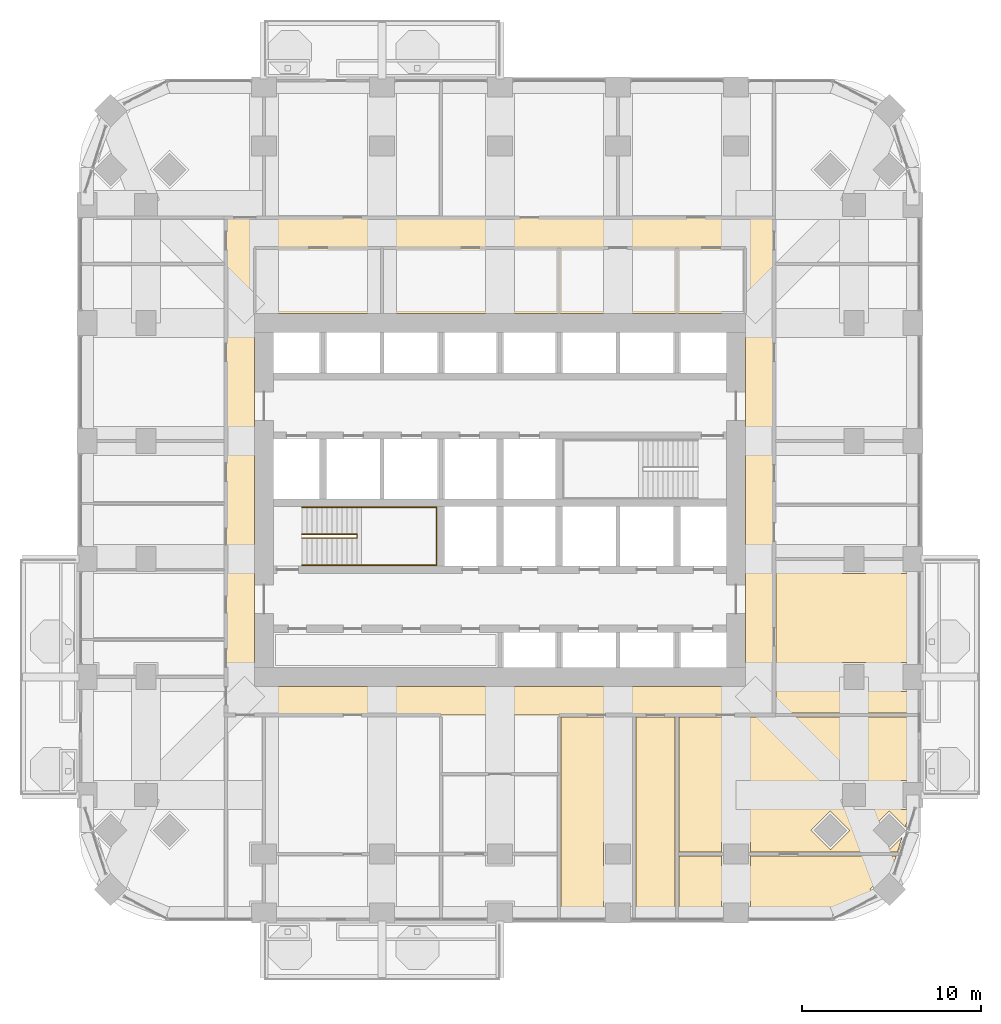
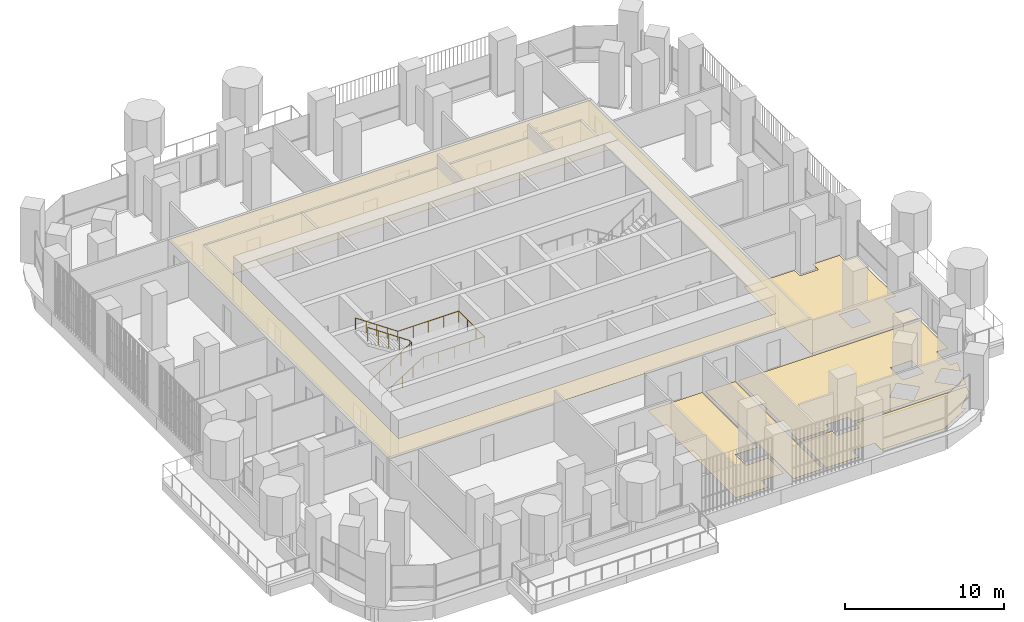
# One storey, part 18 of 21: 6 coverings, 2 railings.
"""IFC4 building model written with IfcOpenShell, lengths in metres."""

from ifc_helpers import new_model, si_unit, direction, frame, origin, place, context, subcontext, project, spatial, polyline, outline, extrude, material, layer, layer_set, type_object, element, save


model = new_model("IFC4")

# Units and contexts
model_context = context("Model", 3, precision=1e-05, world=origin(), true_north=direction((0.0, 1.0)))
body_context = subcontext(model_context, "Body", "Model", "MODEL_VIEW")
ifc_project = project(units=[si_unit("LENGTHUNIT", "METRE"), si_unit("AREAUNIT", "SQUARE_METRE"), si_unit("VOLUMEUNIT", "CUBIC_METRE"), si_unit("PLANEANGLEUNIT", "RADIAN"), si_unit("MASSUNIT", "GRAM", prefix="KILO")], contexts=[model_context])

# Site, building, storey
site_placement = place(None, origin())
site = spatial("IfcSite", under=ifc_project, at=site_placement, CompositionType="ELEMENT")
building_placement = place(site_placement, origin())
building = spatial("IfcBuilding", under=site, at=building_placement, Name="Cobogo Forest Laboratory Tower", CompositionType="ELEMENT")
storey_placement = place(building_placement, frame((0.0, 0.0, 132.60009765625)))
storey = spatial("IfcBuildingStorey", under=building, at=storey_placement, Name="L30", CompositionType="ELEMENT", Elevation=132.60009765625)

# Coverings
ifc_material_1 = material(Name="Mineral fibre ceiling tile", Category="ceiling")
ifc_layer_1 = layer(ifc_material_1, 0.02001953125)
ifc_layer_set_1 = layer_set([ifc_layer_1], Name="CL1 suspended ceiling")
covering_type_1 = type_object("IfcCoveringType", Name="CL1 suspended ceiling", PredefinedType="CEILING", material=ifc_layer_set_1)
covering_1_placement = place(storey_placement, frame((0.0, 0.0, 2.7998046875)))
element("IfcCovering", 1, at=covering_1_placement, inside=storey, type_object=covering_type_1, Name="Corridor ceiling L30", PredefinedType="CEILING", context=body_context, shape_type="SweptSolid", body=[
    extrude(outline(polyline([(11.074951171875, 11.074951171875), (11.074951171875, 38.89990234375), (41.72509765625, 38.89990234375), (41.72509765625, 11.074951171875), (11.074951171875, 11.074951171875)]), holes=[polyline([(40.125, 33.52490234375), (12.675048828125, 33.52490234375), (12.675048828125, 12.675048828125), (40.125, 12.675048828125), (40.125, 33.52490234375)])]), origin(), (0.0, 0.0, 1.0), 0.02001953125),
])
ifc_material_2 = material(Name="Carpet tile on raised access floor", Category="flooring")
ifc_layer_2 = layer(ifc_material_2, 0.008056640625)
ifc_layer_set_2 = layer_set([ifc_layer_2], Name="CT1 carpet tile floor 8")
covering_type_2 = type_object("IfcCoveringType", Name="CT1 carpet tile floor 8", PredefinedType="FLOORING", material=ifc_layer_set_2)
covering_2_placement = place(storey_placement, origin())
element("IfcCovering", 2, at=covering_2_placement, inside=storey, type_object=covering_type_2, Name="Carpet floor L30-10", PredefinedType="FLOORING", context=body_context, shape_type="SweptSolid", body=[
    extrude(outline(polyline([(32.179931640625, 3.969970703125), (32.179931640625, 2.6298828125), (33.780029296875, 2.6298828125), (33.780029296875, 0.669921875), (32.179931640625, 0.669921875), (32.179931640625, -0.14990234375), (29.820068359375, -0.14990234375), (29.820068359375, 10.955078125), (33.780029296875, 10.955078125), (33.780029296875, 3.969970703125), (32.179931640625, 3.969970703125)])), origin(), (0.0, 0.0, 1.0), 0.0078125),
])
covering_3_placement = place(storey_placement, origin())
element("IfcCovering", 3, at=covering_3_placement, inside=storey, type_object=covering_type_2, Name="Carpet floor L30-13", PredefinedType="FLOORING", context=body_context, shape_type="SweptSolid", body=[
    extrude(outline(polyline([(38.780029296875, 3.179931640625), (38.780029296875, 2.6298828125), (40.419921875, 2.6298828125), (40.419921875, 3.179931640625), (48.560302734375, 3.179931640625), (48.283935546875, 2.304931640625), (48.181884765625, 2.406982421875), (47.093017578125, 1.318115234375), (47.3193359375, 1.091552734375), (44.95068359375, -0.14990234375), (40.419921875, -0.14990234375), (40.419921875, 0.669921875), (38.780029296875, 0.669921875), (38.780029296875, -0.14990234375), (36.419921875, -0.14990234375), (36.419921875, 3.179931640625), (38.780029296875, 3.179931640625)])), origin(), (0.0, 0.0, 1.0), 0.0078125),
])
covering_4_placement = place(storey_placement, origin())
element("IfcCovering", 4, at=covering_4_placement, inside=storey, type_object=covering_type_2, Name="Carpet floor L30-14", PredefinedType="FLOORING", context=body_context, shape_type="SweptSolid", body=[
    extrude(outline(polyline([(41.844970703125, 19.679931640625), (45.530029296875, 19.679931640625), (45.530029296875, 18.97998046875), (46.8701171875, 18.97998046875), (46.8701171875, 19.679931640625), (48.830078125, 19.679931640625), (48.830078125, 18.97998046875), (49.64990234375, 18.97998046875), (49.64990234375, 14.02001953125), (48.830078125, 14.02001953125), (48.830078125, 12.3798828125), (49.64990234375, 12.3798828125), (49.64990234375, 11.195068359375), (41.844970703125, 11.195068359375), (41.844970703125, 19.679931640625)]), holes=[polyline([(45.530029296875, 12.3798828125), (46.8701171875, 12.3798828125), (46.8701171875, 14.02001953125), (45.530029296875, 14.02001953125), (45.530029296875, 12.3798828125)])]), origin(), (0.0, 0.0, 1.0), 0.0078125),
])

# Railings
ifc_material_3 = material(Name="Steel balustrade", Category="steel")
railing_type_1 = type_object("IfcRailingType", Name="GR stair guard 1100", PredefinedType="GUARDRAIL", material=ifc_material_3)
railing_1_placement = place(storey_placement, frame((15.324951171875, 20.969970703125, 0.1748046875)))
element("IfcRailing", 5, at=railing_1_placement, inside=storey, type_object=railing_type_1, Name="Stair guard ST1 L30", PredefinedType="GUARDRAIL", context=body_context, shape_type="SweptSolid", body=[
    extrude(outline(polyline([(0.022216796875, 0.00927734375), (0.00927734375, 0.022216796875), (-0.00927734375, 0.022216796875), (-0.022216796875, 0.00927734375), (-0.022216796875, -0.00927734375), (-0.00927734375, -0.022216796875), (0.00927734375, -0.022216796875), (0.022216796875, -0.00927734375), (0.022216796875, 0.00927734375)])), frame((0.0, 0.0, 1.077880859375), z_axis=(0.847998304005, 0.0, 0.529998940003), x_axis=(0.0, 1.0, 0.0)), (0.0, 0.0, 1.0), 3.632080078125),
    extrude(outline(polyline([(0.022216796875, 0.00927734375), (0.00927734375, 0.022216796875), (-0.00927734375, 0.022216796875), (-0.022216796875, 0.00927734375), (-0.022216796875, -0.00927734375), (-0.00927734375, -0.022216796875), (0.00927734375, -0.022216796875), (0.022216796875, -0.00927734375), (0.022216796875, 0.00927734375)])), frame((3.080078125, 0.0, 3.0029296875), z_axis=(0.0, 1.0, 0.0), x_axis=(-1.0, 0.0, 0.0)), (0.0, 0.0, 1.0), 0.2099609375),
    extrude(outline(polyline([(0.022216796875, 0.00927734375), (0.00927734375, 0.022216796875), (-0.00927734375, 0.022216796875), (-0.022216796875, 0.00927734375), (-0.022216796875, -0.00927734375), (-0.00927734375, -0.022216796875), (0.00927734375, -0.022216796875), (0.022216796875, -0.00927734375), (0.022216796875, 0.00927734375)])), frame((3.080078125, 0.2099609375, 3.0029296875), z_axis=(-0.826221800596, 0.0, 0.563344953133), x_axis=(0.0, -1.0, 0.0)), (0.0, 0.0, 1.0), 3.72802734375),
    extrude(outline(polyline([(0.019287109375, 0.008056640625), (0.008056640625, 0.019287109375), (-0.008056640625, 0.019287109375), (-0.019287109375, 0.008056640625), (-0.019287109375, -0.008056640625), (-0.008056640625, -0.019287109375), (0.008056640625, -0.019287109375), (0.019287109375, -0.008056640625), (0.019287109375, 0.008056640625)])), origin(), (0.0, 0.0, 1.0), 1.077880859375),
    extrude(outline(polyline([(0.019287109375, 0.008056640625), (0.008056640625, 0.019287109375), (-0.008056640625, 0.019287109375), (-0.019287109375, 0.008056640625), (-0.019287109375, -0.008056640625), (-0.008056640625, -0.019287109375), (0.008056640625, -0.019287109375), (0.019287109375, -0.008056640625), (0.019287109375, 0.008056640625)])), frame((0.77001953125, 0.0, 0.481201171875)), (0.0, 0.0, 1.0), 1.077880859375),
    extrude(outline(polyline([(0.019287109375, 0.008056640625), (0.008056640625, 0.019287109375), (-0.008056640625, 0.019287109375), (-0.019287109375, 0.008056640625), (-0.019287109375, -0.008056640625), (-0.008056640625, -0.019287109375), (0.008056640625, -0.019287109375), (0.019287109375, -0.008056640625), (0.019287109375, 0.008056640625)])), frame((1.5400390625, 0.0, 0.96240234375)), (0.0, 0.0, 1.0), 1.077880859375),
    extrude(outline(polyline([(0.019287109375, 0.008056640625), (0.008056640625, 0.019287109375), (-0.008056640625, 0.019287109375), (-0.019287109375, 0.008056640625), (-0.019287109375, -0.008056640625), (-0.008056640625, -0.019287109375), (0.008056640625, -0.019287109375), (0.019287109375, -0.008056640625), (0.019287109375, 0.008056640625)])), frame((2.31005859375, 0.0, 1.44384765625)), (0.0, 0.0, 1.0), 1.077880859375),
    extrude(outline(polyline([(0.019287109375, 0.008056640625), (0.008056640625, 0.019287109375), (-0.008056640625, 0.019287109375), (-0.019287109375, 0.008056640625), (-0.019287109375, -0.008056640625), (-0.008056640625, -0.019287109375), (0.008056640625, -0.019287109375), (0.019287109375, -0.008056640625), (0.019287109375, 0.008056640625)])), frame((3.080078125, 0.0, 1.925048828125)), (0.0, 0.0, 1.0), 1.077880859375),
    extrude(outline(polyline([(0.019287109375, 0.008056640625), (0.008056640625, 0.019287109375), (-0.008056640625, 0.019287109375), (-0.019287109375, 0.008056640625), (-0.019287109375, -0.008056640625), (-0.008056640625, -0.019287109375), (0.008056640625, -0.019287109375), (0.019287109375, -0.008056640625), (0.019287109375, 0.008056640625)])), frame((3.080078125, 0.2099609375, 1.925048828125)), (0.0, 0.0, 1.0), 1.077880859375),
    extrude(outline(polyline([(0.019287109375, 0.008056640625), (0.008056640625, 0.019287109375), (-0.008056640625, 0.019287109375), (-0.019287109375, 0.008056640625), (-0.019287109375, -0.008056640625), (-0.008056640625, -0.019287109375), (0.008056640625, -0.019287109375), (0.019287109375, -0.008056640625), (0.019287109375, 0.008056640625)])), frame((2.31005859375, 0.2099609375, 2.4501953125)), (0.0, 0.0, 1.0), 1.077880859375),
    extrude(outline(polyline([(0.019287109375, 0.008056640625), (0.008056640625, 0.019287109375), (-0.008056640625, 0.019287109375), (-0.019287109375, 0.008056640625), (-0.019287109375, -0.008056640625), (-0.008056640625, -0.019287109375), (0.008056640625, -0.019287109375), (0.019287109375, -0.008056640625), (0.019287109375, 0.008056640625)])), frame((1.5400390625, 0.2099609375, 2.97509765625)), (0.0, 0.0, 1.0), 1.077880859375),
    extrude(outline(polyline([(0.019287109375, 0.008056640625), (0.008056640625, 0.019287109375), (-0.008056640625, 0.019287109375), (-0.019287109375, 0.008056640625), (-0.019287109375, -0.008056640625), (-0.008056640625, -0.019287109375), (0.008056640625, -0.019287109375), (0.019287109375, -0.008056640625), (0.019287109375, 0.008056640625)])), frame((0.77001953125, 0.2099609375, 3.5)), (0.0, 0.0, 1.0), 1.077880859375),
    extrude(outline(polyline([(0.019287109375, 0.008056640625), (0.008056640625, 0.019287109375), (-0.008056640625, 0.019287109375), (-0.019287109375, 0.008056640625), (-0.019287109375, -0.008056640625), (-0.008056640625, -0.019287109375), (0.008056640625, -0.019287109375), (0.019287109375, -0.008056640625), (0.019287109375, 0.008056640625)])), frame((0.0, 0.2099609375, 4.025146484375)), (0.0, 0.0, 1.0), 1.077880859375),
])
ifc_material_4 = material(Name="Stainless steel handrail", Category="steel")
railing_type_2 = type_object("IfcRailingType", Name="HR handrail 900", PredefinedType="HANDRAIL", material=ifc_material_4)
railing_2_placement = place(storey_placement, frame((15.324951171875, 19.449951171875, 0.1748046875)))
element("IfcRailing", 6, at=railing_2_placement, inside=storey, type_object=railing_type_2, Name="Stair handrail ST1 L30", PredefinedType="HANDRAIL", context=body_context, shape_type="SweptSolid", body=[
    extrude(outline(polyline([(0.022216796875, 0.00927734375), (0.00927734375, 0.022216796875), (-0.00927734375, 0.022216796875), (-0.022216796875, 0.00927734375), (-0.022216796875, -0.00927734375), (-0.00927734375, -0.022216796875), (0.00927734375, -0.022216796875), (0.022216796875, -0.00927734375), (0.022216796875, 0.00927734375)])), frame((0.0, 0.0, 0.877685546875), z_axis=(0.847998304005, 0.0, 0.529998940003), x_axis=(0.0, 1.0, 0.0)), (0.0, 0.0, 1.0), 3.632080078125),
    extrude(outline(polyline([(0.022216796875, 0.00927734375), (0.00927734375, 0.022216796875), (-0.00927734375, 0.022216796875), (-0.022216796875, 0.00927734375), (-0.022216796875, -0.00927734375), (-0.00927734375, -0.022216796875), (0.00927734375, -0.022216796875), (0.022216796875, -0.00927734375), (0.022216796875, 0.00927734375)])), frame((3.080078125, 0.0, 2.802734375), z_axis=(1.0, 0.0, 0.0), x_axis=(0.0, 1.0, 0.0)), (0.0, 0.0, 1.0), 4.445068359375),
    extrude(outline(polyline([(0.022216796875, 0.00927734375), (0.00927734375, 0.022216796875), (-0.00927734375, 0.022216796875), (-0.022216796875, 0.00927734375), (-0.022216796875, -0.00927734375), (-0.00927734375, -0.022216796875), (0.00927734375, -0.022216796875), (0.022216796875, -0.00927734375), (0.022216796875, 0.00927734375)])), frame((7.525146484375, 0.0, 2.802734375), z_axis=(0.0, 1.0, 0.0), x_axis=(-1.0, 0.0, 0.0)), (0.0, 0.0, 1.0), 3.25),
    extrude(outline(polyline([(0.022216796875, 0.00927734375), (0.00927734375, 0.022216796875), (-0.00927734375, 0.022216796875), (-0.022216796875, 0.00927734375), (-0.022216796875, -0.00927734375), (-0.00927734375, -0.022216796875), (0.00927734375, -0.022216796875), (0.022216796875, -0.00927734375), (0.022216796875, 0.00927734375)])), frame((7.525146484375, 3.25, 2.802734375), z_axis=(-1.0, 0.0, 0.0), x_axis=(0.0, -1.0, 0.0)), (0.0, 0.0, 1.0), 4.445068359375),
    extrude(outline(polyline([(0.022216796875, 0.00927734375), (0.00927734375, 0.022216796875), (-0.00927734375, 0.022216796875), (-0.022216796875, 0.00927734375), (-0.022216796875, -0.00927734375), (-0.00927734375, -0.022216796875), (0.00927734375, -0.022216796875), (0.022216796875, -0.00927734375), (0.022216796875, 0.00927734375)])), frame((3.080078125, 3.25, 2.802734375), z_axis=(-0.826221800596, 0.0, 0.563344953133), x_axis=(0.0, -1.0, 0.0)), (0.0, 0.0, 1.0), 3.72802734375),
    extrude(outline(polyline([(0.019287109375, 0.008056640625), (0.008056640625, 0.019287109375), (-0.008056640625, 0.019287109375), (-0.019287109375, 0.008056640625), (-0.019287109375, -0.008056640625), (-0.008056640625, -0.019287109375), (0.008056640625, -0.019287109375), (0.019287109375, -0.008056640625), (0.019287109375, 0.008056640625)])), origin(), (0.0, 0.0, 1.0), 0.877685546875),
    extrude(outline(polyline([(0.019287109375, 0.008056640625), (0.008056640625, 0.019287109375), (-0.008056640625, 0.019287109375), (-0.019287109375, 0.008056640625), (-0.019287109375, -0.008056640625), (-0.008056640625, -0.019287109375), (0.008056640625, -0.019287109375), (0.019287109375, -0.008056640625), (0.019287109375, 0.008056640625)])), frame((0.77001953125, 0.0, 0.481201171875)), (0.0, 0.0, 1.0), 0.877685546875),
    extrude(outline(polyline([(0.019287109375, 0.008056640625), (0.008056640625, 0.019287109375), (-0.008056640625, 0.019287109375), (-0.019287109375, 0.008056640625), (-0.019287109375, -0.008056640625), (-0.008056640625, -0.019287109375), (0.008056640625, -0.019287109375), (0.019287109375, -0.008056640625), (0.019287109375, 0.008056640625)])), frame((1.5400390625, 0.0, 0.96240234375)), (0.0, 0.0, 1.0), 0.877685546875),
    extrude(outline(polyline([(0.019287109375, 0.008056640625), (0.008056640625, 0.019287109375), (-0.008056640625, 0.019287109375), (-0.019287109375, 0.008056640625), (-0.019287109375, -0.008056640625), (-0.008056640625, -0.019287109375), (0.008056640625, -0.019287109375), (0.019287109375, -0.008056640625), (0.019287109375, 0.008056640625)])), frame((2.31005859375, 0.0, 1.44384765625)), (0.0, 0.0, 1.0), 0.877685546875),
    extrude(outline(polyline([(0.019287109375, 0.008056640625), (0.008056640625, 0.019287109375), (-0.008056640625, 0.019287109375), (-0.019287109375, 0.008056640625), (-0.019287109375, -0.008056640625), (-0.008056640625, -0.019287109375), (0.008056640625, -0.019287109375), (0.019287109375, -0.008056640625), (0.019287109375, 0.008056640625)])), frame((3.080078125, 0.0, 1.925048828125)), (0.0, 0.0, 1.0), 0.877685546875),
    extrude(outline(polyline([(0.019287109375, 0.008056640625), (0.008056640625, 0.019287109375), (-0.008056640625, 0.019287109375), (-0.019287109375, 0.008056640625), (-0.019287109375, -0.008056640625), (-0.008056640625, -0.019287109375), (0.008056640625, -0.019287109375), (0.019287109375, -0.008056640625), (0.019287109375, 0.008056640625)])), frame((4.19140625, 0.0, 1.925048828125)), (0.0, 0.0, 1.0), 0.877685546875),
    extrude(outline(polyline([(0.019287109375, 0.008056640625), (0.008056640625, 0.019287109375), (-0.008056640625, 0.019287109375), (-0.019287109375, 0.008056640625), (-0.019287109375, -0.008056640625), (-0.008056640625, -0.019287109375), (0.008056640625, -0.019287109375), (0.019287109375, -0.008056640625), (0.019287109375, 0.008056640625)])), frame((5.302734375, 0.0, 1.925048828125)), (0.0, 0.0, 1.0), 0.877685546875),
    extrude(outline(polyline([(0.019287109375, 0.008056640625), (0.008056640625, 0.019287109375), (-0.008056640625, 0.019287109375), (-0.019287109375, 0.008056640625), (-0.019287109375, -0.008056640625), (-0.008056640625, -0.019287109375), (0.008056640625, -0.019287109375), (0.019287109375, -0.008056640625), (0.019287109375, 0.008056640625)])), frame((6.413818359375, 0.0, 1.925048828125)), (0.0, 0.0, 1.0), 0.877685546875),
    extrude(outline(polyline([(0.019287109375, 0.008056640625), (0.008056640625, 0.019287109375), (-0.008056640625, 0.019287109375), (-0.019287109375, 0.008056640625), (-0.019287109375, -0.008056640625), (-0.008056640625, -0.019287109375), (0.008056640625, -0.019287109375), (0.019287109375, -0.008056640625), (0.019287109375, 0.008056640625)])), frame((7.525146484375, 0.0, 1.925048828125)), (0.0, 0.0, 1.0), 0.877685546875),
    extrude(outline(polyline([(0.019287109375, 0.008056640625), (0.008056640625, 0.019287109375), (-0.008056640625, 0.019287109375), (-0.019287109375, 0.008056640625), (-0.019287109375, -0.008056640625), (-0.008056640625, -0.019287109375), (0.008056640625, -0.019287109375), (0.019287109375, -0.008056640625), (0.019287109375, 0.008056640625)])), frame((7.525146484375, 1.083251953125, 1.925048828125)), (0.0, 0.0, 1.0), 0.877685546875),
    extrude(outline(polyline([(0.019287109375, 0.008056640625), (0.008056640625, 0.019287109375), (-0.008056640625, 0.019287109375), (-0.019287109375, 0.008056640625), (-0.019287109375, -0.008056640625), (-0.008056640625, -0.019287109375), (0.008056640625, -0.019287109375), (0.019287109375, -0.008056640625), (0.019287109375, 0.008056640625)])), frame((7.525146484375, 2.166748046875, 1.925048828125)), (0.0, 0.0, 1.0), 0.877685546875),
    extrude(outline(polyline([(0.019287109375, 0.008056640625), (0.008056640625, 0.019287109375), (-0.008056640625, 0.019287109375), (-0.019287109375, 0.008056640625), (-0.019287109375, -0.008056640625), (-0.008056640625, -0.019287109375), (0.008056640625, -0.019287109375), (0.019287109375, -0.008056640625), (0.019287109375, 0.008056640625)])), frame((7.525146484375, 3.25, 1.925048828125)), (0.0, 0.0, 1.0), 0.877685546875),
    extrude(outline(polyline([(0.019287109375, 0.008056640625), (0.008056640625, 0.019287109375), (-0.008056640625, 0.019287109375), (-0.019287109375, 0.008056640625), (-0.019287109375, -0.008056640625), (-0.008056640625, -0.019287109375), (0.008056640625, -0.019287109375), (0.019287109375, -0.008056640625), (0.019287109375, 0.008056640625)])), frame((6.413818359375, 3.25, 1.925048828125)), (0.0, 0.0, 1.0), 0.877685546875),
    extrude(outline(polyline([(0.019287109375, 0.008056640625), (0.008056640625, 0.019287109375), (-0.008056640625, 0.019287109375), (-0.019287109375, 0.008056640625), (-0.019287109375, -0.008056640625), (-0.008056640625, -0.019287109375), (0.008056640625, -0.019287109375), (0.019287109375, -0.008056640625), (0.019287109375, 0.008056640625)])), frame((5.302734375, 3.25, 1.925048828125)), (0.0, 0.0, 1.0), 0.877685546875),
    extrude(outline(polyline([(0.019287109375, 0.008056640625), (0.008056640625, 0.019287109375), (-0.008056640625, 0.019287109375), (-0.019287109375, 0.008056640625), (-0.019287109375, -0.008056640625), (-0.008056640625, -0.019287109375), (0.008056640625, -0.019287109375), (0.019287109375, -0.008056640625), (0.019287109375, 0.008056640625)])), frame((4.19140625, 3.25, 1.925048828125)), (0.0, 0.0, 1.0), 0.877685546875),
    extrude(outline(polyline([(0.019287109375, 0.008056640625), (0.008056640625, 0.019287109375), (-0.008056640625, 0.019287109375), (-0.019287109375, 0.008056640625), (-0.019287109375, -0.008056640625), (-0.008056640625, -0.019287109375), (0.008056640625, -0.019287109375), (0.019287109375, -0.008056640625), (0.019287109375, 0.008056640625)])), frame((3.080078125, 3.25, 1.925048828125)), (0.0, 0.0, 1.0), 0.877685546875),
    extrude(outline(polyline([(0.019287109375, 0.008056640625), (0.008056640625, 0.019287109375), (-0.008056640625, 0.019287109375), (-0.019287109375, 0.008056640625), (-0.019287109375, -0.008056640625), (-0.008056640625, -0.019287109375), (0.008056640625, -0.019287109375), (0.019287109375, -0.008056640625), (0.019287109375, 0.008056640625)])), frame((2.31005859375, 3.25, 2.4501953125)), (0.0, 0.0, 1.0), 0.877685546875),
    extrude(outline(polyline([(0.019287109375, 0.008056640625), (0.008056640625, 0.019287109375), (-0.008056640625, 0.019287109375), (-0.019287109375, 0.008056640625), (-0.019287109375, -0.008056640625), (-0.008056640625, -0.019287109375), (0.008056640625, -0.019287109375), (0.019287109375, -0.008056640625), (0.019287109375, 0.008056640625)])), frame((1.5400390625, 3.25, 2.97509765625)), (0.0, 0.0, 1.0), 0.877685546875),
    extrude(outline(polyline([(0.019287109375, 0.008056640625), (0.008056640625, 0.019287109375), (-0.008056640625, 0.019287109375), (-0.019287109375, 0.008056640625), (-0.019287109375, -0.008056640625), (-0.008056640625, -0.019287109375), (0.008056640625, -0.019287109375), (0.019287109375, -0.008056640625), (0.019287109375, 0.008056640625)])), frame((0.77001953125, 3.25, 3.5)), (0.0, 0.0, 1.0), 0.877685546875),
    extrude(outline(polyline([(0.019287109375, 0.008056640625), (0.008056640625, 0.019287109375), (-0.008056640625, 0.019287109375), (-0.019287109375, 0.008056640625), (-0.019287109375, -0.008056640625), (-0.008056640625, -0.019287109375), (0.008056640625, -0.019287109375), (0.019287109375, -0.008056640625), (0.019287109375, 0.008056640625)])), frame((0.0, 3.25, 4.025146484375)), (0.0, 0.0, 1.0), 0.877685546875),
])

# Coverings
ifc_material_5 = material(Name="Epoxy resin flooring", Category="flooring")
ifc_layer_3 = layer(ifc_material_5, 0.00390625)
ifc_layer_set_3 = layer_set([ifc_layer_3], Name="LF1 epoxy laboratory floor 4")
covering_type_3 = type_object("IfcCoveringType", Name="LF1 epoxy laboratory floor 4", PredefinedType="FLOORING", material=ifc_layer_set_3)
covering_5_placement = place(storey_placement, origin())
element("IfcCovering", 7, at=covering_5_placement, inside=storey, type_object=covering_type_3, Name="Epoxy laboratory floor L30-12", PredefinedType="FLOORING", context=body_context, shape_type="SweptSolid", body=[
    extrude(outline(polyline([(36.419921875, 10.955078125), (49.64990234375, 10.955078125), (49.64990234375, 7.419921875), (48.830078125, 7.419921875), (48.830078125, 5.780029296875), (49.38134765625, 5.780029296875), (49.075927734375, 4.81298828125), (48.181884765625, 5.70703125), (47.093017578125, 4.617919921875), (48.181884765625, 3.529052734375), (48.89599609375, 4.2431640625), (48.635986328125, 3.419921875), (40.419921875, 3.419921875), (40.419921875, 3.969970703125), (38.780029296875, 3.969970703125), (38.780029296875, 3.419921875), (36.419921875, 3.419921875), (36.419921875, 10.955078125)]), holes=[polyline([(45.429931640625, 5.830078125), (46.969970703125, 5.830078125), (46.969970703125, 7.3701171875), (45.429931640625, 7.3701171875), (45.429931640625, 5.830078125)]), polyline([(43.79296875, 4.617919921875), (44.882080078125, 3.529052734375), (45.970947265625, 4.617919921875), (44.882080078125, 5.70703125), (43.79296875, 4.617919921875)])]), origin(), (0.0, 0.0, 1.0), 0.00390625),
])
ifc_material_6 = material(Name="Ceramic floor tile", Category="flooring")
ifc_layer_4 = layer(ifc_material_6, 0.010009765625)
ifc_layer_set_4 = layer_set([ifc_layer_4], Name="TF1 ceramic tile floor 10")
covering_type_4 = type_object("IfcCoveringType", Name="TF1 ceramic tile floor 10", PredefinedType="FLOORING", material=ifc_layer_set_4)
covering_6_placement = place(storey_placement, origin())
element("IfcCovering", 8, at=covering_6_placement, inside=storey, type_object=covering_type_4, Name="Tile floor L30-11", PredefinedType="FLOORING", context=body_context, shape_type="SweptSolid", body=[
    extrude(outline(polyline([(34.02001953125, 10.955078125), (36.179931640625, 10.955078125), (36.179931640625, -0.14990234375), (34.02001953125, -0.14990234375), (34.02001953125, 10.955078125)])), origin(), (0.0, 0.0, 1.0), 0.010009765625),
])

save(model, "model.ifc")
